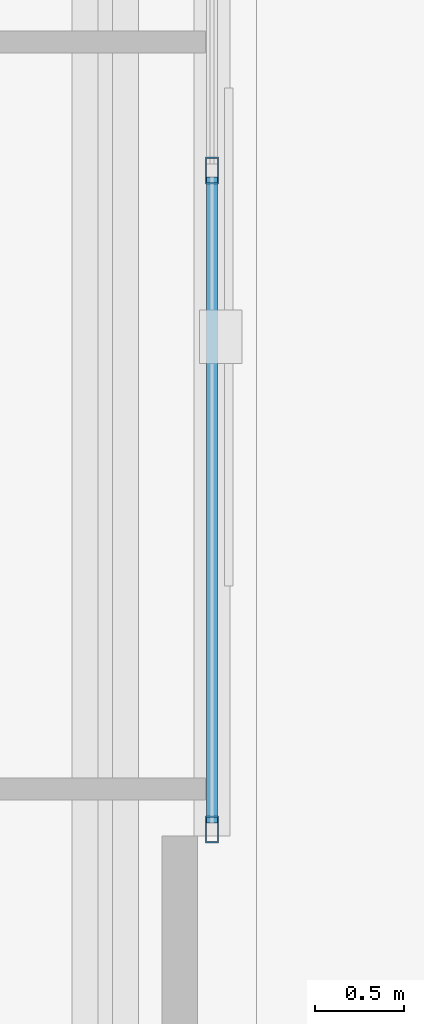
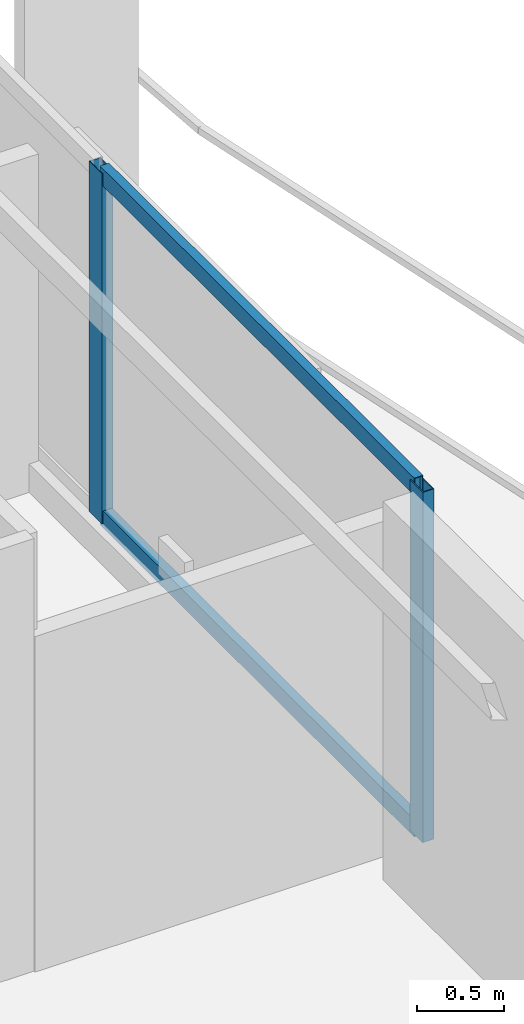
# One storey, part 8 of 22: 4 members, 1 element without a shape of its own.
"""IFC4 building model written with IfcOpenShell, lengths in metres."""

from ifc_helpers import new_model, si_unit, direction, frame, origin, origin_2d, place, context, subcontext, project, spatial, hollow_rectangle, extrude, material, layer, layer_set, material_profile, profile_set, type_object, element, aggregate, save


model = new_model("IFC4")

# Units and contexts
model_context = context("Model", 3, precision=1e-05, world=origin(), true_north=direction((0.0, 1.0)))
body_context = subcontext(model_context, "Body", "Model", "MODEL_VIEW")
ifc_project = project(units=[si_unit("LENGTHUNIT", "METRE"), si_unit("AREAUNIT", "SQUARE_METRE"), si_unit("VOLUMEUNIT", "CUBIC_METRE"), si_unit("PLANEANGLEUNIT", "RADIAN"), si_unit("MASSUNIT", "GRAM", prefix="KILO")], contexts=[model_context])

# Site, building, storey
site_placement = place(None, origin())
site = spatial("IfcSite", under=ifc_project, at=site_placement, CompositionType="ELEMENT")
building_placement = place(site_placement, origin())
building = spatial("IfcBuilding", under=site, at=building_placement, Name="Mersakhor Tower and Convention Hall", CompositionType="ELEMENT")
storey_placement = place(building_placement, frame((0.0, 0.0, 76.800048828125)))
storey = spatial("IfcBuildingStorey", under=building, at=storey_placement, Name="L20", CompositionType="ELEMENT", Elevation=76.800048828125)

# Curtain wall, members
ifc_material_1 = material(Name="Dark solar low-E aluminium curtain wall", Category="aluminium")
ifc_layer = layer(ifc_material_1, 0.159912109375)
ifc_layer_set = layer_set([ifc_layer], Name="Dark solar low-E aluminium curtain wall")
curtain_wall_type = type_object("IfcCurtainWallType", Name="CW-SYS-01", PredefinedType="USERDEFINED", material=ifc_layer_set)
curtain_wall_placement = place(storey_placement, origin())
curtain_wall = element("IfcCurtainWall", 1, at=curtain_wall_placement, inside=storey, type_object=curtain_wall_type, Name="L20 Dark-Glass Curtain Wall F2-B2", ObjectType="CURTAIN WALL", PredefinedType="USERDEFINED")
ifc_material_2 = material(Name="Anodised aluminium EN AW-6063 T6", Category="aluminium")
ifc_material_profile_1 = material_profile(ifc_material_2, hollow_rectangle(XDim=0.074951171875, YDim=0.14990234375, WallThickness=0.00634765625, at=origin_2d()), Name="RHS 150x75x6.3")
ifc_profile_set_1 = profile_set([ifc_material_profile_1], Name="Anodised aluminium EN AW-6063 T6")
member_type_1 = type_object("IfcMemberType", Name="CWM-150x75", PredefinedType="MULLION", material=ifc_profile_set_1)
member_1_placement = place(storey_placement, frame((43.03466796875, 24.87841796875, 0.199951171875), z_axis=(0.0, 0.0, 1.0), x_axis=(1.0, 0.0, 0.0)))
member_1 = element("IfcMember", 2, at=member_1_placement, type_object=member_type_1, Name="CW-01 mullion 3", PredefinedType="MULLION", context=body_context, shape_type="SweptSolid", body=[
    extrude(hollow_rectangle(XDim=0.074951171875, YDim=0.14990234375, WallThickness=0.00634765625, at=origin_2d()), origin(), (0.0, 0.0, 1.0), 2.469970703125),
])
member_2_placement = place(storey_placement, frame((43.03466796875, 21.172607421875, 0.199951171875), z_axis=(0.0, 0.0, 1.0), x_axis=(1.0, 0.0, 0.0)))
member_2 = element("IfcMember", 3, at=member_2_placement, type_object=member_type_1, Name="CW-01 mullion 4", PredefinedType="MULLION", context=body_context, shape_type="SweptSolid", body=[
    extrude(hollow_rectangle(XDim=0.074951171875, YDim=0.14990234375, WallThickness=0.00634765625, at=origin_2d()), origin(), (0.0, 0.0, 1.0), 2.469970703125),
])
ifc_material_3 = material(Name="Anodised aluminium EN AW-6063 T6", Category="aluminium")
ifc_material_profile_2 = material_profile(ifc_material_3, hollow_rectangle(XDim=0.06005859375, YDim=0.1201171875, WallThickness=0.0048828125, at=origin_2d()), Name="RHS 120x60x5")
ifc_profile_set_2 = profile_set([ifc_material_profile_2], Name="Anodised aluminium EN AW-6063 T6")
member_type_2 = type_object("IfcMemberType", Name="CWT-120x60", PredefinedType="USERDEFINED", material=ifc_profile_set_2)
member_3_placement = place(storey_placement, frame((43.03466796875, 24.8408203125, 0.22998046875), z_axis=(0.0, -1.0, 0.0), x_axis=(1.0, 0.0, 0.0)))
member_3 = element("IfcMember", 4, at=member_3_placement, type_object=member_type_2, Name="CW-01 transom 3.1", ObjectType="TRANSOM", PredefinedType="USERDEFINED", context=body_context, shape_type="SweptSolid", body=[
    extrude(hollow_rectangle(XDim=0.06005859375, YDim=0.1201171875, WallThickness=0.0048828125, at=origin_2d()), origin(), (0.0, 0.0, 1.0), 3.630615234375),
])
member_4_placement = place(storey_placement, frame((43.03466796875, 24.8408203125, 2.639892578125), z_axis=(0.0, -1.0, 0.0), x_axis=(1.0, 0.0, 0.0)))
member_4 = element("IfcMember", 5, at=member_4_placement, type_object=member_type_2, Name="CW-01 transom 3.2", ObjectType="TRANSOM", PredefinedType="USERDEFINED", context=body_context, shape_type="SweptSolid", body=[
    extrude(hollow_rectangle(XDim=0.06005859375, YDim=0.1201171875, WallThickness=0.0048828125, at=origin_2d()), origin(), (0.0, 0.0, 1.0), 3.630615234375),
])
aggregate(curtain_wall, [member_1, member_2, member_3, member_4])

save(model, "model.ifc")
